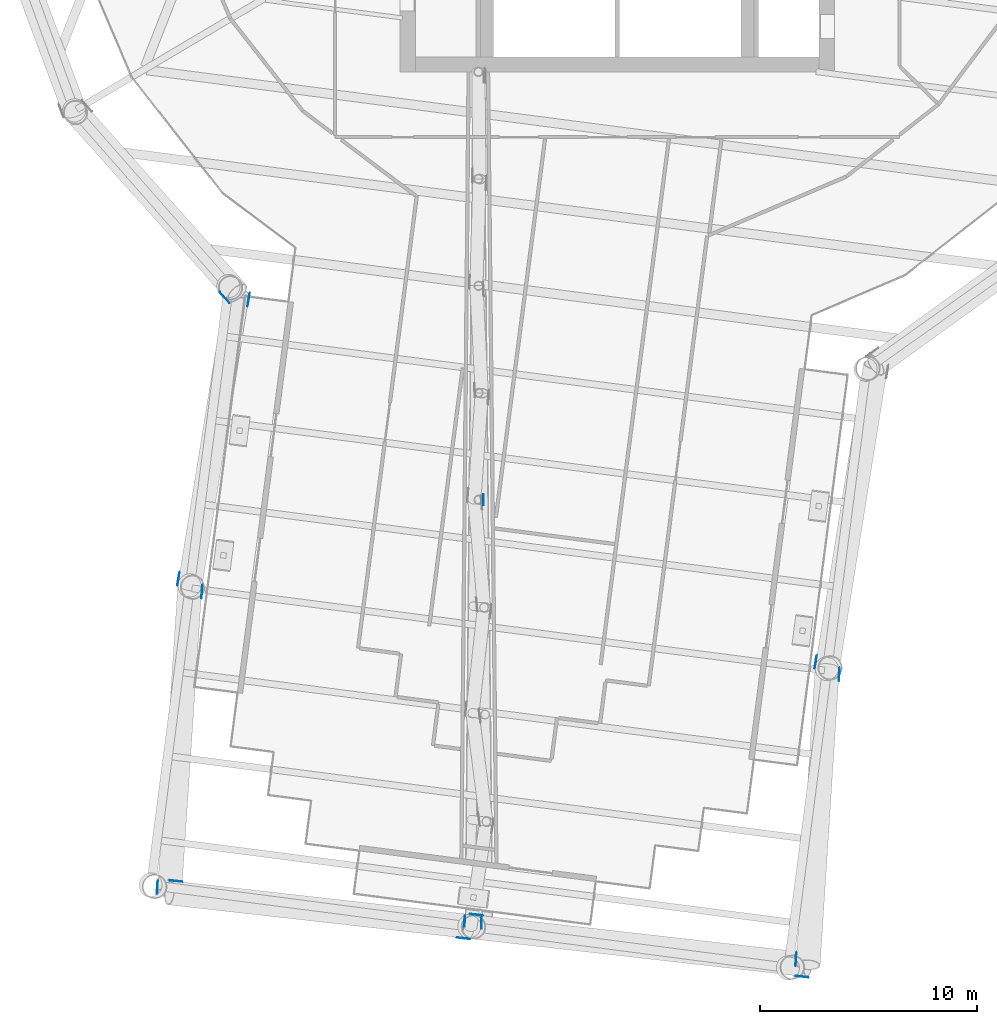
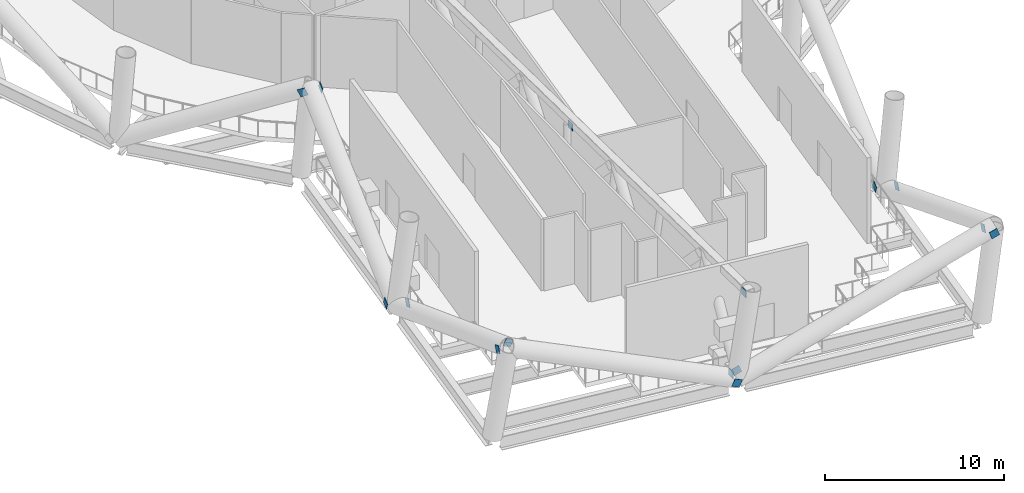
# One storey, part 20 of 36: 15 discrete accessories.
"""IFC4 building model written with IfcOpenShell, lengths in metres."""

from ifc_helpers import new_model, si_unit, direction, frame, origin, origin_2d, place, context, subcontext, project, spatial, rectangle, extrude, material, material_profile, profile_set, type_object, element, save


model = new_model("IFC4")

# Units and contexts
model_context = context("Model", 3, precision=1e-05, world=origin(), true_north=direction((0.0, 1.0)))
body_context = subcontext(model_context, "Body", "Model", "MODEL_VIEW")
ifc_project = project(units=[si_unit("LENGTHUNIT", "METRE"), si_unit("AREAUNIT", "SQUARE_METRE"), si_unit("VOLUMEUNIT", "CUBIC_METRE"), si_unit("PLANEANGLEUNIT", "RADIAN"), si_unit("MASSUNIT", "GRAM", prefix="KILO")], contexts=[model_context])

# Site, building, storey
site_placement = place(None, origin())
site = spatial("IfcSite", under=ifc_project, at=site_placement, CompositionType="ELEMENT")
building_placement = place(site_placement, origin())
building = spatial("IfcBuilding", under=site, at=building_placement, Name="Tarsis Ring Headquarters", CompositionType="ELEMENT")
storey_placement = place(building_placement, frame((0.0, 0.0, 194.39990234375)))
storey = spatial("IfcBuildingStorey", under=building, at=storey_placement, Name="L45", CompositionType="ELEMENT", Elevation=194.39990234375)

# Discrete accessories
ifc_material = material(Name="Structural steel S355", Category="steel")
ifc_material_profile = material_profile(ifc_material, rectangle(XDim=0.02490234375, YDim=0.5, at=origin_2d()), Name="PL 25x500")
ifc_profile_set = profile_set([ifc_material_profile], Name="Structural steel S355")
discrete_accessory_type_1 = type_object("IfcDiscreteAccessoryType", Name="Gusset plate Belt truss 25", PredefinedType="BRACKET", material=ifc_profile_set)
for number, where, z_axis, x_axis, name in (
    (1, (-17.936279296875, -23.558349609375, 6.0), (-0.587905693214, 0.658219995393, -0.470226895818), (-0.745819847512, -0.666147697629, 0.0), "Gusset plate GP4"),
    (2, (-20.25048828125, -36.57666015625, 0.0), (0.145513415544, 0.903843396549, 0.40235924298), (-0.987287060618, 0.158947349575, 0.0), "Gusset plate GP4"),
    (3, (-16.9462890625, -23.268798828125, 6.0), (-0.145541995931, -0.904020921037, -0.40194987467), (0.987287060618, -0.158947349575, 0.0), "Gusset plate GP4"),
    (4, (-19.116455078125, -36.70556640625, 0.0), (-0.061509529306, -0.918737572651, 0.390048523139), (0.997766351323, -0.066800510237, 0.0), "Gusset plate GP4"),
    (5, (-21.19873046875, -50.768798828125, 6.0), (0.061034799731, 0.918939944753, -0.389646161484), (-0.997801549002, 0.066272685242, 0.0), "Gusset plate GP4"),
    (6, (-6.8642578125, -52.927978515625, 0.0), (-0.912523905491, 0.102530775898, 0.395964091682), (-0.111656945182, -0.993746812117, 0.0), "Gusset plate GP4"),
    (7, (-20.56494140625, -50.239013671875, 6.0), (0.912700262633, -0.102550591307, -0.395552280756), (0.111656945182, 0.993746812117, 0.0), "Gusset plate GP4"),
    (8, (-6.736083984375, -51.79248046875, 0.0), (0.928003973042, -0.10544390225, 0.357337668736), (0.112897960483, 0.993606587397, 0.0), "Gusset plate GP4"),
):
    element("IfcDiscreteAccessory", number, at=place(storey_placement, frame(where, z_axis=z_axis, x_axis=x_axis)), inside=storey, type_object=discrete_accessory_type_1, Name=name, PredefinedType="BRACKET", context=body_context, shape_type="SweptSolid", body=[
        extrude(rectangle(XDim=0.02490234375, YDim=0.5, at=origin_2d()), origin(), (0.0, 0.0, 1.0), 0.5),
    ])
discrete_accessory_placement = place(storey_placement, frame((8.719970703125, -54.694580078125, 6.0), z_axis=(-0.92809811311, 0.10551010128, -0.357073537202), x_axis=(-0.112956622508, -0.993599920205, 0.0)))
element("IfcDiscreteAccessory", 9, at=discrete_accessory_placement, inside=storey, type_object=discrete_accessory_type_1, Name="Gusset plate GP4", PredefinedType="BRACKET", context=body_context, shape_type="SweptSolid", body=[
    extrude(rectangle(XDim=0.02490234375, YDim=0.5, at=origin_2d()), origin(), (0.0, 0.0, 1.0), 0.499755859375),
])
for number, where, z_axis, x_axis, name in (
    (10, (10.237060546875, -40.516845703125, 0.0), (-0.059093958875, -0.913758653347, 0.401936596315), (0.997915348382, -0.064536481643, 0.0), "Gusset plate GP4"),
    (11, (8.21435546875, -54.090087890625, 6.0), (0.05907917899, 0.914018372475, -0.401347810991), (-0.997917568029, 0.064502150498, 0.0), "Gusset plate GP4"),
    (12, (9.102783203125, -40.3896484375, 0.0), (0.145508766533, 0.909185648605, 0.390139276711), (-0.987434012538, 0.158031866668, 0.0), "Gusset plate GP4"),
):
    element("IfcDiscreteAccessory", number, at=place(storey_placement, frame(where, z_axis=z_axis, x_axis=x_axis)), inside=storey, type_object=discrete_accessory_type_1, Name=name, PredefinedType="BRACKET", context=body_context, shape_type="SweptSolid", body=[
        extrude(rectangle(XDim=0.02490234375, YDim=0.5, at=origin_2d()), origin(), (0.0, 0.0, 1.0), 0.5),
    ])
discrete_accessory_type_2 = type_object("IfcDiscreteAccessoryType", Name="Gusset plate Outrigger chord 25", PredefinedType="BRACKET", material=ifc_profile_set)
for number, where, z_axis, x_axis, name in (
    (13, (-7.02978515625, -52.3623046875, 0.254150390625), (0.009276944529, 0.999956968224, 0.0), (-0.999956968224, 0.009276944529, 0.0), "Gusset plate GP3"),
    (14, (-6.249267578125, -52.46240234375, 5.586181640625), (-0.010741567758, 0.999942307697, 0.0), (-0.999942307697, -0.010741567758, 0.0), "Gusset plate GP3"),
    (15, (-6.1708984375, -32.703857421875, 5.33203125), (0.0, 0.0, -1.0), (0.999944108437, 0.010572606205, 0.0), "Gusset plate GP3"),
):
    element("IfcDiscreteAccessory", number, at=place(storey_placement, frame(where, z_axis=z_axis, x_axis=x_axis)), inside=storey, type_object=discrete_accessory_type_2, Name=name, PredefinedType="BRACKET", context=body_context, shape_type="SweptSolid", body=[
        extrude(rectangle(XDim=0.02490234375, YDim=0.5, at=origin_2d()), origin(), (0.0, 0.0, 1.0), 0.5),
    ])

save(model, "model.ifc")
